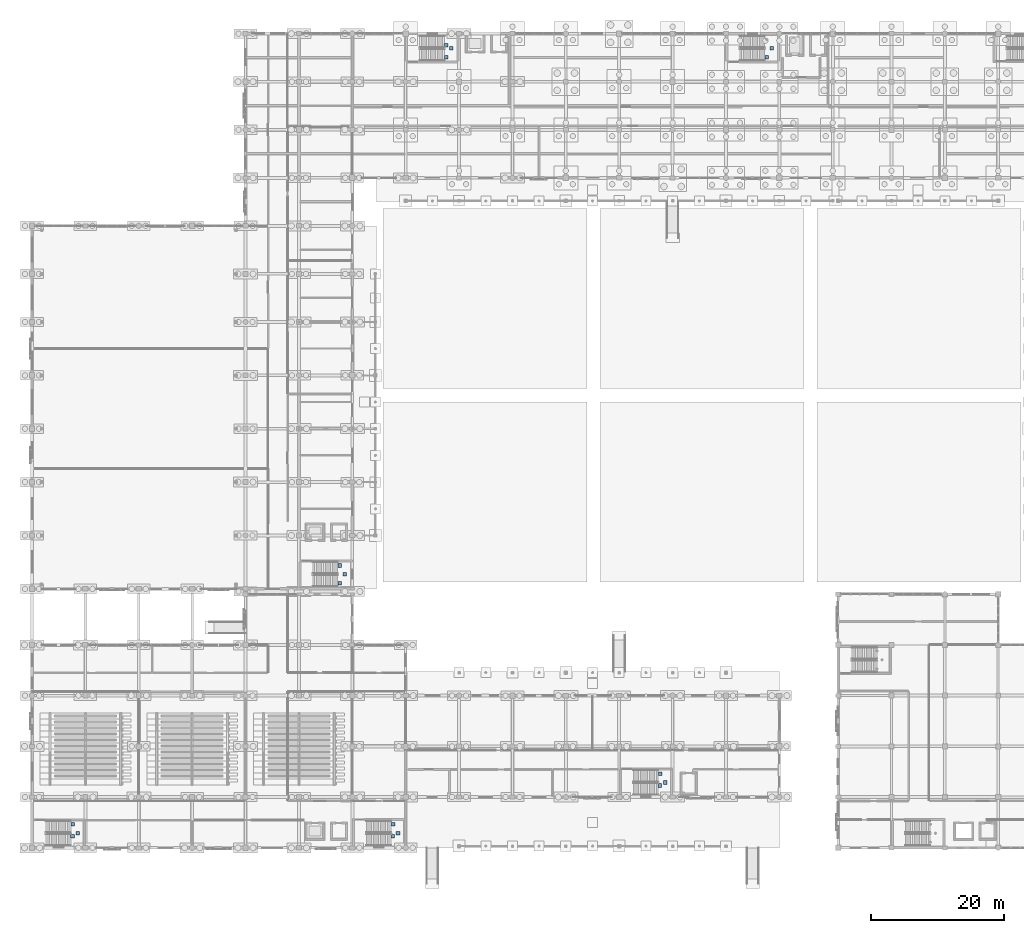
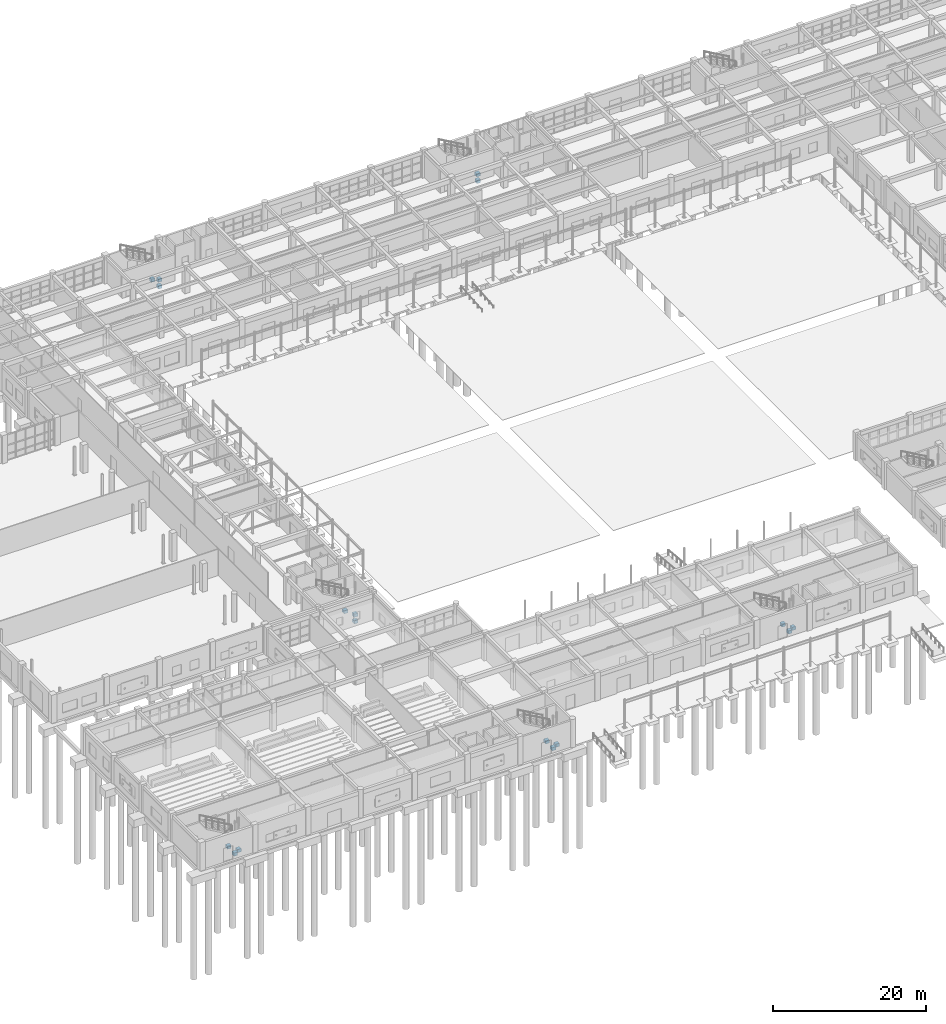
# One storey, part 10 of 166: 17 footings.
"""IFC4 building model written with IfcOpenShell, lengths in metres."""

from ifc_helpers import new_model, si_unit, direction, frame, origin, origin_2d, place, context, subcontext, project, spatial, rectangle, extrude, material, type_object, element, save


model = new_model("IFC4")

# Units and contexts
model_context = context("Model", 3, precision=1e-05, world=origin(), true_north=direction((0.0, 1.0)))
body_context = subcontext(model_context, "Body", "Model", "MODEL_VIEW")
ifc_project = project(units=[si_unit("LENGTHUNIT", "METRE"), si_unit("AREAUNIT", "SQUARE_METRE"), si_unit("VOLUMEUNIT", "CUBIC_METRE"), si_unit("PLANEANGLEUNIT", "RADIAN"), si_unit("MASSUNIT", "GRAM", prefix="KILO")], contexts=[model_context])

# Site, building, storey
site_placement = place(None, origin())
site = spatial("IfcSite", under=ifc_project, at=site_placement, CompositionType="ELEMENT")
building_placement = place(site_placement, origin())
building = spatial("IfcBuilding", under=site, at=building_placement, Name="Kharva Crest Polytechnic", CompositionType="ELEMENT")
storey_placement = place(building_placement, origin())
storey = spatial("IfcBuildingStorey", under=building, at=storey_placement, Name="L00", CompositionType="ELEMENT", Elevation=0.0)

# Footings
ifc_material = material(Name="Concrete C35/45", Category="concrete")
footing_type = type_object("IfcFootingType", Name="FTG-PAD-1500X1500", PredefinedType="PAD_FOOTING", material=ifc_material)
for number, where, z_axis, x_axis, name in (
    (1, (54.050048828125, 1.72998046875, -0.905029296875), (0.0, 0.0, 1.0), (1.0, 0.0, 0.0), "L00 Stair ST-01 Landing Pad SW"),
    (2, (54.10009765625, 3.510009765625, -0.905029296875), (0.0, 0.0, 1.0), (1.0, 0.0, 0.0), "L00 Stair ST-01 Landing Pad NW"),
    (3, (54.85009765625, 2.179931640625, -0.905029296875), (0.0, 0.0, 1.0), (1.0, 0.0, 0.0), "L00 Stair ST-01 Landing Pad EM"),
    (4, (46.10009765625, 39.64990234375, -0.905029296875), (0.0, 0.0, 1.0), (1.0, 0.0, 0.0), "L00 Stair ST-02 Landing Pad SW"),
    (5, (46.10009765625, 42.31005859375, -0.905029296875), (0.0, 0.0, 1.0), (1.0, 0.0, 0.0), "L00 Stair ST-02 Landing Pad NW"),
    (6, (46.85009765625, 40.97998046875, -0.905029296875), (0.0, 0.0, 1.0), (1.0, 0.0, 0.0), "L00 Stair ST-02 Landing Pad EM"),
    (7, (62.10009765625, 118.489990234375, -0.905029296875), (0.0, 0.0, 1.0), (1.0, 0.0, 0.0), "L00 Stair ST-03 Landing Pad SW"),
    (8, (62.050048828125, 120.27001953125, -0.905029296875), (0.0, 0.0, 1.0), (1.0, 0.0, 0.0), "L00 Stair ST-03 Landing Pad NW"),
    (9, (62.85009765625, 119.820068359375, -0.905029296875), (0.0, 0.0, 1.0), (1.0, 0.0, 0.0), "L00 Stair ST-03 Landing Pad EM"),
    (10, (110.10009765625, 118.489990234375, -0.905029296875), (0.0, 0.0, 1.0), (1.0, 0.0, 0.0), "L00 Stair ST-04 Landing Pad SW"),
    (11, (110.85009765625, 119.820068359375, -0.905029296875), (0.0, 0.0, 1.0), (1.0, 0.0, 0.0), "L00 Stair ST-04 Landing Pad EM"),
    (12, (94.080078125, 9.330078125, -0.905029296875), (0.0, 0.0, 1.0), (1.0, 0.0, 0.0), "L00 Stair ST-08 Landing Pad SW"),
    (13, (94.1298828125, 11.110107421875, -0.905029296875), (0.0, 0.0, 1.0), (1.0, 0.0, 0.0), "L00 Stair ST-08 Landing Pad NW"),
    (14, (94.8798828125, 9.780029296875, -0.905029296875), (0.0, 0.0, 1.0), (1.0, 0.0, 0.0), "L00 Stair ST-08 Landing Pad EM"),
    (15, (6.070068359375, 1.72998046875, -0.905029296875), (0.0, 0.0, 1.0), (1.0, 0.0, 0.0), "L00 Stair ST-10 Landing Pad SW"),
    (16, (6.1201171875, 3.510009765625, -0.905029296875), (0.0, 0.0, 1.0), (1.0, 0.0, 0.0), "L00 Stair ST-10 Landing Pad NW"),
    (17, (6.8701171875, 2.179931640625, -0.905029296875), (0.0, 0.0, 1.0), (1.0, 0.0, 0.0), "L00 Stair ST-10 Landing Pad EM"),
):
    element("IfcFooting", number, at=place(storey_placement, frame(where, z_axis=z_axis, x_axis=x_axis)), inside=storey, type_object=footing_type, Name=name, PredefinedType="PAD_FOOTING", context=body_context, shape_type="SweptSolid", body=[
        extrude(rectangle(XDim=0.550048828125, YDim=0.550048828125, at=origin_2d()), origin(), (0.0, 0.0, 1.0), 0.5),
    ])

save(model, "model.ifc")
